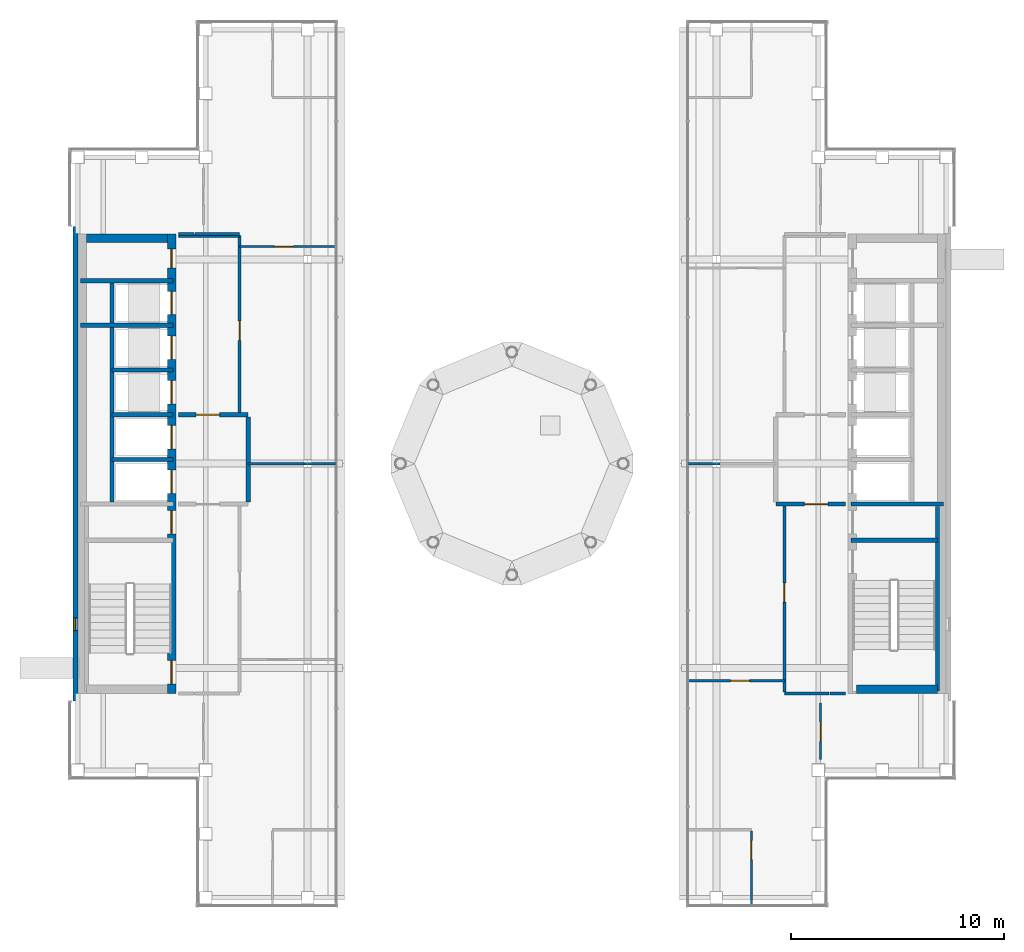
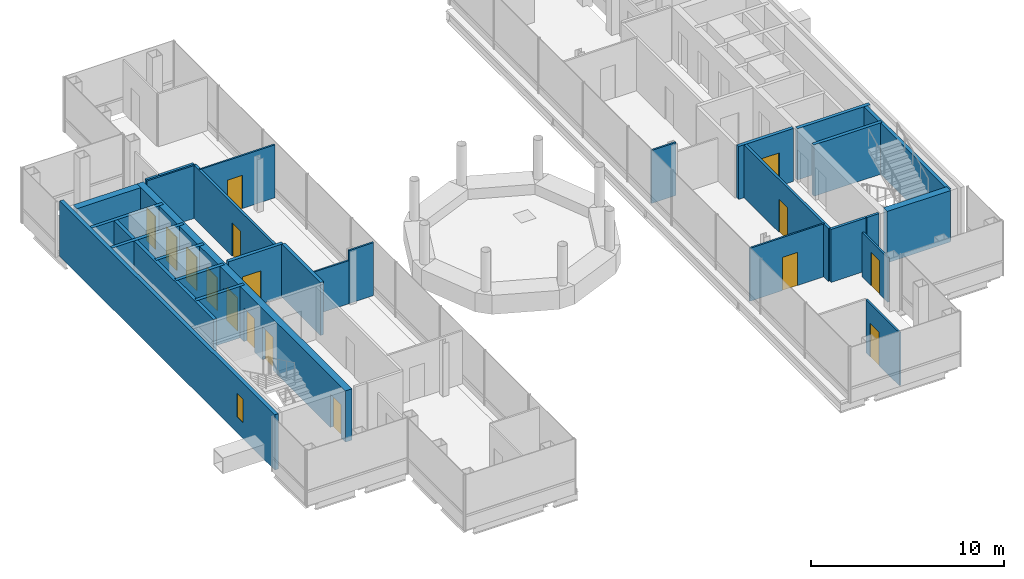
# One storey, part 12 of 16: 31 walls, 16 doors, 1 window, 17 openings.
"""IFC4 building model written with IfcOpenShell, lengths in metres."""

from ifc_helpers import new_model, si_unit, direction, frame, frame_2d, origin, place, context, subcontext, project, spatial, rectangle, extrude, material, layer, layer_set, type_object, element, fill, save


model = new_model("IFC4")

# Units and contexts
model_context = context("Model", 3, precision=1e-05, world=origin(), true_north=direction((0.0, 1.0)))
body_context = subcontext(model_context, "Body", "Model", "MODEL_VIEW")
ifc_project = project(units=[si_unit("LENGTHUNIT", "METRE"), si_unit("AREAUNIT", "SQUARE_METRE"), si_unit("VOLUMEUNIT", "CUBIC_METRE"), si_unit("PLANEANGLEUNIT", "RADIAN"), si_unit("MASSUNIT", "GRAM", prefix="KILO")], contexts=[model_context])

# Site, building, storey
site_placement = place(None, origin())
site = spatial("IfcSite", under=ifc_project, at=site_placement, CompositionType="ELEMENT")
building_placement = place(site_placement, origin())
building = spatial("IfcBuilding", under=site, at=building_placement, Name="Cobrizo Arcos Hotel Tower", CompositionType="ELEMENT")
storey_placement = place(building_placement, frame((0.0, 0.0, 272.5)))
storey = spatial("IfcBuildingStorey", under=building, at=storey_placement, Name="L72", CompositionType="ELEMENT", Elevation=272.5)

# Walls
ifc_material_1 = material(Name="Gypsum board partition")
ifc_layer_1 = layer(ifc_material_1, 0.14990234375)
ifc_layer_set_1 = layer_set([ifc_layer_1], Name="Corridor wall EI 60 150")
wall_type_1 = type_object("IfcWallType", Name="Corridor wall EI 60 150", PredefinedType="PARTITIONING", material=ifc_layer_set_1)
wall_1_placement = place(storey_placement, frame((12.800048828125, -10.800048828125, 0.0), z_axis=(0.0, 0.0, 1.0), x_axis=(1.0, 0.0, 0.0)))
element("IfcWall", 1, at=wall_1_placement, inside=storey, type_object=wall_type_1, Name="Partition 005", PredefinedType="PARTITIONING", context=body_context, shape_type="SweptSolid", body=[
    extrude(rectangle(XDim=2.099853515625, YDim=0.14990234375, at=frame_2d((1.0498046875, 0.0))), origin(), (0.0, 0.0, 1.0), 3.35009765625),
])
wall_2_placement = place(storey_placement, frame((14.949951171875, -10.800048828125, 0.0), z_axis=(0.0, 0.0, 1.0), x_axis=(1.0, 0.0, 0.0)))
element("IfcWall", 2, at=wall_2_placement, inside=storey, type_object=wall_type_1, Name="Partition 006", PredefinedType="PARTITIONING", context=body_context, shape_type="SweptSolid", body=[
    extrude(rectangle(XDim=0.72998046875, YDim=0.14990234375, at=frame_2d((0.364990234375, 0.0))), origin(), (0.0, 0.0, 1.0), 3.35009765625),
])
wall_3_placement = place(storey_placement, frame((-15.679931640625, 10.699951171875, 0.0), z_axis=(0.0, 0.0, 1.0), x_axis=(1.0, 0.0, 0.0)))
element("IfcWall", 3, at=wall_3_placement, inside=storey, type_object=wall_type_1, Name="Partition 033", PredefinedType="PARTITIONING", context=body_context, shape_type="SweptSolid", body=[
    extrude(rectangle(XDim=2.8798828125, YDim=0.14990234375, at=frame_2d((1.43994140625, 0.0))), origin(), (0.0, 0.0, 1.0), 3.35009765625),
])
wall_4_placement = place(storey_placement, frame((-15.679931640625, 10.800048828125, 0.0), z_axis=(0.0, 0.0, 1.0), x_axis=(1.0, 0.0, 0.0)))
element("IfcWall", 4, at=wall_4_placement, inside=storey, type_object=wall_type_1, Name="Partition 035", PredefinedType="PARTITIONING", context=body_context, shape_type="SweptSolid", body=[
    extrude(rectangle(XDim=0.72998046875, YDim=0.14990234375, at=frame_2d((0.364990234375, 0.0))), origin(), (0.0, 0.0, 1.0), 3.35009765625),
])
wall_5_placement = place(storey_placement, frame((-14.89990234375, 10.800048828125, 0.0), z_axis=(0.0, 0.0, 1.0), x_axis=(1.0, 0.0, 0.0)))
element("IfcWall", 5, at=wall_5_placement, inside=storey, type_object=wall_type_1, Name="Partition 036", PredefinedType="PARTITIONING", context=body_context, shape_type="SweptSolid", body=[
    extrude(rectangle(XDim=2.099853515625, YDim=0.14990234375, at=frame_2d((1.0498046875, 0.0))), origin(), (0.0, 0.0, 1.0), 3.35009765625),
])

# Wall, opening, door
wall_6_placement = place(storey_placement, frame((-12.800048828125, 2.39990234375, 0.0), z_axis=(0.0, 0.0, 1.0), x_axis=(0.0, 1.0, 0.0)))
wall_6 = element("IfcWall", 6, at=wall_6_placement, inside=storey, type_object=wall_type_1, Name="Partition 047", PredefinedType="PARTITIONING", context=body_context, shape_type="SweptSolid", body=[
    extrude(rectangle(XDim=8.3251953125, YDim=0.14990234375, at=frame_2d((4.16259765625, 0.0))), origin(), (0.0, 0.0, 1.0), 3.35009765625),
])
opening_1_placement = place(wall_6_placement, frame((3.39990234375, 0.0, 0.0)))
opening_1 = element("IfcOpeningElement", 7, at=opening_1_placement, cuts=wall_6, Name="Opening RD-09", PredefinedType="OPENING", context=body_context, shape_type="SweptSolid", body=[
    extrude(rectangle(XDim=0.89990234375, YDim=2.10009765625, at=frame_2d((0.449951171875, 1.050048828125))), frame((0.0, 0.0869140625, 0.0), z_axis=(0.0, -1.0, 0.0), x_axis=(1.0, 0.0, 0.0)), (0.0, 0.0, 1.0), 0.173828125),
])
ifc_material_2 = material(Name="Timber door leaf", Category="wood")
door_type_1 = type_object("IfcDoorType", Name="Room door FD30 900x2100", OperationType="SINGLE_SWING_LEFT", PredefinedType="DOOR", material=ifc_material_2)
door_1_placement = place(opening_1_placement, origin())
door_1 = element("IfcDoor", 8, at=door_1_placement, inside=storey, type_object=door_type_1, Name="Door RD-09", OperationType="SINGLE_SWING_LEFT", OverallHeight=2.10009765625, OverallWidth=0.89990234375, PredefinedType="DOOR", context=body_context, shape_type="SweptSolid", body=[
    extrude(rectangle(XDim=0.89990234375, YDim=2.10009765625, at=frame_2d((0.449951171875, 1.050048828125))), frame((0.0, 0.02490234375, 0.0), z_axis=(0.0, -1.0, 0.0), x_axis=(1.0, 0.0, 0.0)), (0.0, 0.0, 1.0), 0.050048828125),
])
fill(opening_1, door_1)

wall_7_placement = place(storey_placement, frame((12.800048828125, -10.72509765625, 0.0), z_axis=(0.0, 0.0, 1.0), x_axis=(0.0, 1.0, 0.0)))
wall_7 = element("IfcWall", 9, at=wall_7_placement, inside=storey, type_object=wall_type_1, Name="Partition 054", PredefinedType="PARTITIONING", context=body_context, shape_type="SweptSolid", body=[
    extrude(rectangle(XDim=8.72509765625, YDim=0.14990234375, at=frame_2d((4.362548828125, 0.0))), origin(), (0.0, 0.0, 1.0), 3.35009765625),
])
opening_2_placement = place(wall_7_placement, frame((4.22509765625, 0.0, 0.0)))
opening_2 = element("IfcOpeningElement", 10, at=opening_2_placement, cuts=wall_7, Name="Opening RD-06", PredefinedType="OPENING", context=body_context, shape_type="SweptSolid", body=[
    extrude(rectangle(XDim=0.89990234375, YDim=2.10009765625, at=frame_2d((0.449951171875, 1.050048828125))), frame((0.0, 0.0869140625, 0.0), z_axis=(0.0, -1.0, 0.0), x_axis=(1.0, 0.0, 0.0)), (0.0, 0.0, 1.0), 0.173828125),
])
door_2_placement = place(opening_2_placement, origin())
door_2 = element("IfcDoor", 11, at=door_2_placement, inside=storey, type_object=door_type_1, Name="Door RD-06", OperationType="SINGLE_SWING_LEFT", OverallHeight=2.10009765625, OverallWidth=0.89990234375, PredefinedType="DOOR", context=body_context, shape_type="SweptSolid", body=[
    extrude(rectangle(XDim=0.89990234375, YDim=2.10009765625, at=frame_2d((0.449951171875, 1.050048828125))), frame((0.0, 0.02490234375, 0.0), z_axis=(0.0, -1.0, 0.0), x_axis=(1.0, 0.0, 0.0)), (0.0, 0.0, 1.0), 0.050048828125),
])
fill(opening_2, door_2)

# Wall, opening, window
ifc_material_3 = material(Name="Aluminium composite panel pale metal", Category="aluminium")
ifc_layer_2 = layer(ifc_material_3, 0.22509765625)
ifc_layer_set_2 = layer_set([ifc_layer_2], Name="EW-1 insulated panel wall 225")
wall_type_2 = type_object("IfcWallType", Name="EW-1 insulated panel wall 225", PredefinedType="SOLIDWALL", material=ifc_layer_set_2)
wall_8_placement = place(storey_placement, frame((-20.512451171875, 11.14990234375, 0.0), z_axis=(0.0, 0.0, 1.0), x_axis=(0.0, -1.0, 0.0)))
wall_8 = element("IfcWall", 12, at=wall_8_placement, inside=storey, type_object=wall_type_2, Name="Core face wall L72 W", PredefinedType="SOLIDWALL", context=body_context, shape_type="SweptSolid", body=[
    extrude(rectangle(XDim=22.2998046875, YDim=0.22509765625, at=frame_2d((11.14990234375, 0.0))), origin(), (0.0, 0.0, 1.0), 3.5),
])
opening_3_placement = place(wall_8_placement, frame((18.39990234375, 0.0, 1.0)))
opening_3 = element("IfcOpeningElement", 13, at=opening_3_placement, cuts=wall_8, Name="Opening W-164", PredefinedType="OPENING", context=body_context, shape_type="SweptSolid", body=[
    extrude(rectangle(XDim=0.60009765625, YDim=1.5, at=frame_2d((0.300048828125, 0.75))), frame((0.0, 0.12451171875, 0.0), z_axis=(0.0, -1.0, 0.0), x_axis=(1.0, 0.0, 0.0)), (0.0, 0.0, 1.0), 0.2490234375),
])
ifc_material_4 = material(Name="Aluminium 6063-T6 and clear laminated glass", Category="aluminium")
window_type = type_object("IfcWindowType", Name="W-C1 core stair slot window 600x1500", PartitioningType="SINGLE_PANEL", PredefinedType="WINDOW", material=ifc_material_4)
window_placement = place(opening_3_placement, origin())
window = element("IfcWindow", 14, at=window_placement, inside=storey, type_object=window_type, Name="Core face wall L72 W window W-164", OverallHeight=1.5, OverallWidth=0.60009765625, PartitioningType="SINGLE_PANEL", PredefinedType="WINDOW", context=body_context, shape_type="SweptSolid", body=[
    extrude(rectangle(XDim=0.60009765625, YDim=1.5, at=frame_2d((0.300048828125, 0.75))), frame((0.0, -0.0224609375, 0.0), z_axis=(0.0, -1.0, 0.0), x_axis=(1.0, 0.0, 0.0)), (0.0, 0.0, 1.0), 0.06005859375),
])
fill(opening_3, window)

# Wall, opening, door
ifc_layer_3 = layer(ifc_material_1, 0.10009765625)
ifc_layer_set_3 = layer_set([ifc_layer_3], Name="Partition EI 30 100")
wall_type_3 = type_object("IfcWallType", Name="Partition EI 30 100", PredefinedType="PARTITIONING", material=ifc_layer_set_3)
wall_9_placement = place(storey_placement, frame((8.304931640625, -10.199951171875, 0.0), z_axis=(0.0, 0.0, 1.0), x_axis=(1.0, 0.0, 0.0)))
wall_9 = element("IfcWall", 15, at=wall_9_placement, inside=storey, type_object=wall_type_3, Name="Partition 007", PredefinedType="PARTITIONING", context=body_context, shape_type="SweptSolid", body=[
    extrude(rectangle(XDim=4.4951171875, YDim=0.10009765625, at=frame_2d((2.24755859375, 0.0))), origin(), (0.0, 0.0, 1.0), 3.35009765625),
])
opening_4_placement = place(wall_9_placement, frame((1.962890625, 0.0, 0.0)))
opening_4 = element("IfcOpeningElement", 16, at=opening_4_placement, cuts=wall_9, Name="Opening RD-07", PredefinedType="OPENING", context=body_context, shape_type="SweptSolid", body=[
    extrude(rectangle(XDim=0.89990234375, YDim=2.10009765625, at=frame_2d((0.449951171875, 1.050048828125))), frame((0.0, 0.06201171875, 0.0), z_axis=(0.0, -1.0, 0.0), x_axis=(1.0, 0.0, 0.0)), (0.0, 0.0, 1.0), 0.1240234375),
])
door_3_placement = place(opening_4_placement, origin())
door_3 = element("IfcDoor", 17, at=door_3_placement, inside=storey, type_object=door_type_1, Name="Door RD-07", OperationType="SINGLE_SWING_LEFT", OverallHeight=2.10009765625, OverallWidth=0.89990234375, PredefinedType="DOOR", context=body_context, shape_type="SweptSolid", body=[
    extrude(rectangle(XDim=0.89990234375, YDim=2.10009765625, at=frame_2d((0.449951171875, 1.050048828125))), frame((0.0, 0.02490234375, 0.0), z_axis=(0.0, -1.0, 0.0), x_axis=(1.0, 0.0, 0.0)), (0.0, 0.0, 1.0), 0.050048828125),
])
fill(opening_4, door_3)

# Walls
wall_10_placement = place(storey_placement, frame((-12.39990234375, 0.0, 0.0), z_axis=(0.0, 0.0, 1.0), x_axis=(1.0, 0.0, 0.0)))
element("IfcWall", 18, at=wall_10_placement, inside=storey, type_object=wall_type_3, Name="Partition 015", PredefinedType="PARTITIONING", context=body_context, shape_type="SweptSolid", body=[
    extrude(rectangle(XDim=2.615966796875, YDim=0.10009765625, at=frame_2d((1.30810546875, 0.0))), origin(), (0.0, 0.0, 1.0), 2.72802734375),
])
for number, where, z_axis, x_axis, name in (
    (19, (-9.7841796875, 0.0, 0.0), (0.0, 0.0, 1.0), (1.0, 0.0, 0.0), "Partition 016"),
    (20, (8.304931640625, 0.0, 0.0), (0.0, 0.0, 1.0), (1.0, 0.0, 0.0), "Partition 017"),
):
    element("IfcWall", number, at=place(storey_placement, frame(where, z_axis=z_axis, x_axis=x_axis)), inside=storey, type_object=wall_type_3, Name=name, PredefinedType="PARTITIONING", context=body_context, shape_type="SweptSolid", body=[
        extrude(rectangle(XDim=1.479248046875, YDim=0.10009765625, at=frame_2d((0.73974609375, 0.0))), origin(), (0.0, 0.0, 1.0), 3.35009765625),
    ])

# Wall, opening, door
wall_11_placement = place(storey_placement, frame((-12.800048828125, 10.199951171875, 0.0), z_axis=(0.0, 0.0, 1.0), x_axis=(1.0, 0.0, 0.0)))
wall_11 = element("IfcWall", 21, at=wall_11_placement, inside=storey, type_object=wall_type_3, Name="Partition 032", PredefinedType="PARTITIONING", context=body_context, shape_type="SweptSolid", body=[
    extrude(rectangle(XDim=4.4951171875, YDim=0.10009765625, at=frame_2d((2.24755859375, 0.0))), origin(), (0.0, 0.0, 1.0), 3.35009765625),
])
opening_5_placement = place(wall_11_placement, frame((1.632080078125, 0.0, 0.0)))
opening_5 = element("IfcOpeningElement", 22, at=opening_5_placement, cuts=wall_11, Name="Opening RD-10", PredefinedType="OPENING", context=body_context, shape_type="SweptSolid", body=[
    extrude(rectangle(XDim=0.89990234375, YDim=2.10009765625, at=frame_2d((0.449951171875, 1.050048828125))), frame((0.0, 0.06201171875, 0.0), z_axis=(0.0, -1.0, 0.0), x_axis=(1.0, 0.0, 0.0)), (0.0, 0.0, 1.0), 0.1240234375),
])
door_4_placement = place(opening_5_placement, origin())
door_4 = element("IfcDoor", 23, at=door_4_placement, inside=storey, type_object=door_type_1, Name="Door RD-10", OperationType="SINGLE_SWING_LEFT", OverallHeight=2.10009765625, OverallWidth=0.89990234375, PredefinedType="DOOR", context=body_context, shape_type="SweptSolid", body=[
    extrude(rectangle(XDim=0.89990234375, YDim=2.10009765625, at=frame_2d((0.449951171875, 1.050048828125))), frame((0.0, 0.02490234375, 0.0), z_axis=(0.0, -1.0, 0.0), x_axis=(1.0, 0.0, 0.0)), (0.0, 0.0, 1.0), 0.050048828125),
])
fill(opening_5, door_4)

wall_12_placement = place(storey_placement, frame((11.25, -20.72998046875, 0.0), z_axis=(0.0, 0.0, 1.0), x_axis=(0.0, 1.0, 0.0)))
wall_12 = element("IfcWall", 24, at=wall_12_placement, inside=storey, type_object=wall_type_3, Name="Partition 051", PredefinedType="PARTITIONING", context=body_context, shape_type="SweptSolid", body=[
    extrude(rectangle(XDim=3.47998046875, YDim=0.10009765625, at=frame_2d((1.739990234375, 0.0))), origin(), (0.0, 0.0, 1.0), 3.35009765625),
])
opening_6_placement = place(wall_12_placement, frame((2.1201171875, 0.0, 0.0)))
opening_6 = element("IfcOpeningElement", 25, at=opening_6_placement, cuts=wall_12, Name="Opening ED-02", PredefinedType="OPENING", context=body_context, shape_type="SweptSolid", body=[
    extrude(rectangle(XDim=0.89990234375, YDim=2.10009765625, at=frame_2d((0.449951171875, 1.050048828125))), frame((0.0, 0.06201171875, 0.0), z_axis=(0.0, -1.0, 0.0), x_axis=(1.0, 0.0, 0.0)), (0.0, 0.0, 1.0), 0.1240234375),
])
door_type_2 = type_object("IfcDoorType", Name="En-suite door 900x2100", OperationType="SINGLE_SWING_LEFT", PredefinedType="DOOR", material=ifc_material_2)
door_5_placement = place(opening_6_placement, origin())
door_5 = element("IfcDoor", 26, at=door_5_placement, inside=storey, type_object=door_type_2, Name="Door ED-02", OperationType="SINGLE_SWING_RIGHT", OverallHeight=2.10009765625, OverallWidth=0.89990234375, PredefinedType="DOOR", context=body_context, shape_type="SweptSolid", body=[
    extrude(rectangle(XDim=0.89990234375, YDim=2.10009765625, at=frame_2d((0.449951171875, 1.050048828125))), frame((0.0, 0.02490234375, 0.0), z_axis=(0.0, -1.0, 0.0), x_axis=(1.0, 0.0, 0.0)), (0.0, 0.0, 1.0), 0.050048828125),
])
fill(opening_6, door_5)

wall_13_placement = place(storey_placement, frame((14.5, -13.89990234375, 0.0), z_axis=(0.0, 0.0, 1.0), x_axis=(0.0, 1.0, 0.0)))
wall_13 = element("IfcWall", 27, at=wall_13_placement, inside=storey, type_object=wall_type_3, Name="Partition 056", PredefinedType="PARTITIONING", context=body_context, shape_type="SweptSolid", body=[
    extrude(rectangle(XDim=2.64990234375, YDim=0.10009765625, at=frame_2d((1.324951171875, 0.0))), origin(), (0.0, 0.0, 1.0), 2.81689453125),
])
opening_7_placement = place(wall_13_placement, frame((0.85009765625, 0.0, 0.0)))
opening_7 = element("IfcOpeningElement", 28, at=opening_7_placement, cuts=wall_13, Name="Opening RD-08", PredefinedType="OPENING", context=body_context, shape_type="SweptSolid", body=[
    extrude(rectangle(XDim=0.89990234375, YDim=2.10009765625, at=frame_2d((0.449951171875, 1.050048828125))), frame((0.0, 0.06201171875, 0.0), z_axis=(0.0, -1.0, 0.0), x_axis=(1.0, 0.0, 0.0)), (0.0, 0.0, 1.0), 0.1240234375),
])
door_6_placement = place(opening_7_placement, origin())
door_6 = element("IfcDoor", 29, at=door_6_placement, inside=storey, type_object=door_type_1, Name="Door RD-08", OperationType="SINGLE_SWING_LEFT", OverallHeight=2.10009765625, OverallWidth=0.89990234375, PredefinedType="DOOR", context=body_context, shape_type="SweptSolid", body=[
    extrude(rectangle(XDim=0.89990234375, YDim=2.10009765625, at=frame_2d((0.449951171875, 1.050048828125))), frame((0.0, 0.02490234375, 0.0), z_axis=(0.0, -1.0, 0.0), x_axis=(1.0, 0.0, 0.0)), (0.0, 0.0, 1.0), 0.050048828125),
])
fill(opening_7, door_6)

# Wall
ifc_material_5 = material(Name="Concrete f'c 40 MPa", Category="concrete")
ifc_layer_4 = layer(ifc_material_5, 0.39990234375)
ifc_layer_set_4 = layer_set([ifc_layer_4], Name="RC core wall 400 f'c 40")
wall_type_4 = type_object("IfcWallType", Name="RC core wall 400 f'c 40", PredefinedType="SHEAR", material=ifc_layer_set_4)
wall_14_placement = place(storey_placement, frame((16.199951171875, -10.60009765625, 0.0), z_axis=(0.0, 0.0, 1.0), x_axis=(1.0, 0.0, 0.0)))
element("IfcWall", 30, at=wall_14_placement, inside=storey, type_object=wall_type_4, Name="Core wall CW4, east core, south end, L72", PredefinedType="SHEAR", context=body_context, shape_type="SweptSolid", body=[
    extrude(rectangle(XDim=3.800048828125, YDim=0.39990234375, at=frame_2d((1.89990234375, 0.0))), origin(), (0.0, 0.0, 1.0), 3.25),
])

# Wall, openings, doors
wall_15_placement = place(storey_placement, frame((-16.0, -10.800048828125, 0.0), z_axis=(0.0, 0.0, 1.0), x_axis=(0.0, 1.0, 0.0)))
wall_15 = element("IfcWall", 31, at=wall_15_placement, inside=storey, type_object=wall_type_4, Name="Core wall CW4, west core, inner face, L72", PredefinedType="SHEAR", context=body_context, shape_type="SweptSolid", body=[
    extrude(rectangle(XDim=21.60009765625, YDim=0.39990234375, at=frame_2d((10.800048828125, 0.0))), origin(), (0.0, 0.0, 1.0), 3.25),
])
opening_8_placement = place(wall_15_placement, frame((9.39990234375, 0.0, 0.0)))
opening_8 = element("IfcOpeningElement", 32, at=opening_8_placement, cuts=wall_15, Name="Opening LD-01", PredefinedType="OPENING", context=body_context, shape_type="SweptSolid", body=[
    extrude(rectangle(XDim=1.10009765625, YDim=2.10009765625, at=frame_2d((0.550048828125, 1.050048828125))), frame((0.0, 0.2119140625, 0.0), z_axis=(0.0, -1.0, 0.0), x_axis=(1.0, 0.0, 0.0)), (0.0, 0.0, 1.0), 0.423828125),
])
opening_9_placement = place(wall_15_placement, frame((11.5, 0.0, 0.0)))
opening_9 = element("IfcOpeningElement", 33, at=opening_9_placement, cuts=wall_15, Name="Opening LD-02", PredefinedType="OPENING", context=body_context, shape_type="SweptSolid", body=[
    extrude(rectangle(XDim=1.10009765625, YDim=2.10009765625, at=frame_2d((0.550048828125, 1.050048828125))), frame((0.0, 0.2119140625, 0.0), z_axis=(0.0, -1.0, 0.0), x_axis=(1.0, 0.0, 0.0)), (0.0, 0.0, 1.0), 0.423828125),
])
opening_10_placement = place(wall_15_placement, frame((13.60009765625, 0.0, 0.0)))
opening_10 = element("IfcOpeningElement", 34, at=opening_10_placement, cuts=wall_15, Name="Opening LD-03", PredefinedType="OPENING", context=body_context, shape_type="SweptSolid", body=[
    extrude(rectangle(XDim=1.10009765625, YDim=2.10009765625, at=frame_2d((0.550048828125, 1.050048828125))), frame((0.0, 0.2119140625, 0.0), z_axis=(0.0, -1.0, 0.0), x_axis=(1.0, 0.0, 0.0)), (0.0, 0.0, 1.0), 0.423828125),
])
opening_11_placement = place(wall_15_placement, frame((15.699951171875, 0.0, 0.0)))
opening_11 = element("IfcOpeningElement", 35, at=opening_11_placement, cuts=wall_15, Name="Opening LD-04", PredefinedType="OPENING", context=body_context, shape_type="SweptSolid", body=[
    extrude(rectangle(XDim=1.10009765625, YDim=2.10009765625, at=frame_2d((0.550048828125, 1.050048828125))), frame((0.0, 0.2119140625, 0.0), z_axis=(0.0, -1.0, 0.0), x_axis=(1.0, 0.0, 0.0)), (0.0, 0.0, 1.0), 0.423828125),
])
opening_12_placement = place(wall_15_placement, frame((17.800048828125, 0.0, 0.0)))
opening_12 = element("IfcOpeningElement", 36, at=opening_12_placement, cuts=wall_15, Name="Opening LD-05", PredefinedType="OPENING", context=body_context, shape_type="SweptSolid", body=[
    extrude(rectangle(XDim=1.10009765625, YDim=2.10009765625, at=frame_2d((0.550048828125, 1.050048828125))), frame((0.0, 0.2119140625, 0.0), z_axis=(0.0, -1.0, 0.0), x_axis=(1.0, 0.0, 0.0)), (0.0, 0.0, 1.0), 0.423828125),
])
opening_13_placement = place(wall_15_placement, frame((0.4580078125, 0.0, 0.0)))
opening_13 = element("IfcOpeningElement", 37, at=opening_13_placement, cuts=wall_15, Name="Opening SD-01", PredefinedType="OPENING", context=body_context, shape_type="SweptSolid", body=[
    extrude(rectangle(XDim=1.10009765625, YDim=2.10009765625, at=frame_2d((0.550048828125, 1.050048828125))), frame((0.0, 0.2119140625, 0.0), z_axis=(0.0, -1.0, 0.0), x_axis=(1.0, 0.0, 0.0)), (0.0, 0.0, 1.0), 0.423828125),
])
opening_14_placement = place(wall_15_placement, frame((7.5, 0.0, 0.0)))
opening_14 = element("IfcOpeningElement", 38, at=opening_14_placement, cuts=wall_15, Name="Opening FD-01", PredefinedType="OPENING", context=body_context, shape_type="SweptSolid", body=[
    extrude(rectangle(XDim=1.10009765625, YDim=2.10009765625, at=frame_2d((0.550048828125, 1.050048828125))), frame((0.0, 0.2119140625, 0.0), z_axis=(0.0, -1.0, 0.0), x_axis=(1.0, 0.0, 0.0)), (0.0, 0.0, 1.0), 0.423828125),
])
opening_15_placement = place(wall_15_placement, frame((20.0, 0.0, 0.0)))
opening_15 = element("IfcOpeningElement", 39, at=opening_15_placement, cuts=wall_15, Name="Opening RD-01", PredefinedType="OPENING", context=body_context, shape_type="SweptSolid", body=[
    extrude(rectangle(XDim=0.89990234375, YDim=2.10009765625, at=frame_2d((0.449951171875, 1.050048828125))), frame((0.0, 0.2119140625, 0.0), z_axis=(0.0, -1.0, 0.0), x_axis=(1.0, 0.0, 0.0)), (0.0, 0.0, 1.0), 0.423828125),
])
ifc_material_6 = material(Name="Steel door leaf", Category="steel")
door_type_3 = type_object("IfcDoorType", Name="Fire door FD60 1100x2100", OperationType="SINGLE_SWING_LEFT", PredefinedType="DOOR", material=ifc_material_6)
door_7_placement = place(opening_14_placement, origin())
door_7 = element("IfcDoor", 40, at=door_7_placement, inside=storey, type_object=door_type_3, Name="Door FD-01", OperationType="SINGLE_SWING_LEFT", OverallHeight=2.10009765625, OverallWidth=1.10009765625, PredefinedType="DOOR", context=body_context, shape_type="SweptSolid", body=[
    extrude(rectangle(XDim=1.10009765625, YDim=2.10009765625, at=frame_2d((0.550048828125, 1.050048828125))), frame((0.0, 0.02490234375, 0.0), z_axis=(0.0, -1.0, 0.0), x_axis=(1.0, 0.0, 0.0)), (0.0, 0.0, 1.0), 0.050048828125),
])
fill(opening_14, door_7)
door_type_4 = type_object("IfcDoorType", Name="Lift landing door 1100x2100", OperationType="SLIDING_TO_LEFT", PredefinedType="DOOR", material=ifc_material_6)
door_8_placement = place(opening_8_placement, origin())
door_8 = element("IfcDoor", 41, at=door_8_placement, inside=storey, type_object=door_type_4, Name="Lift landing door LD-01", OperationType="SLIDING_TO_LEFT", OverallHeight=2.10009765625, OverallWidth=1.10009765625, PredefinedType="DOOR", context=body_context, shape_type="SweptSolid", body=[
    extrude(rectangle(XDim=1.10009765625, YDim=2.10009765625, at=frame_2d((0.550048828125, 1.050048828125))), frame((0.0, 0.02490234375, 0.0), z_axis=(0.0, -1.0, 0.0), x_axis=(1.0, 0.0, 0.0)), (0.0, 0.0, 1.0), 0.050048828125),
])
fill(opening_8, door_8)
door_9_placement = place(opening_9_placement, origin())
door_9 = element("IfcDoor", 42, at=door_9_placement, inside=storey, type_object=door_type_4, Name="Lift landing door LD-02", OperationType="SLIDING_TO_LEFT", OverallHeight=2.10009765625, OverallWidth=1.10009765625, PredefinedType="DOOR", context=body_context, shape_type="SweptSolid", body=[
    extrude(rectangle(XDim=1.10009765625, YDim=2.10009765625, at=frame_2d((0.550048828125, 1.050048828125))), frame((0.0, 0.02490234375, 0.0), z_axis=(0.0, -1.0, 0.0), x_axis=(1.0, 0.0, 0.0)), (0.0, 0.0, 1.0), 0.050048828125),
])
fill(opening_9, door_9)
door_10_placement = place(opening_10_placement, origin())
door_10 = element("IfcDoor", 43, at=door_10_placement, inside=storey, type_object=door_type_4, Name="Lift landing door LD-03", OperationType="SLIDING_TO_LEFT", OverallHeight=2.10009765625, OverallWidth=1.10009765625, PredefinedType="DOOR", context=body_context, shape_type="SweptSolid", body=[
    extrude(rectangle(XDim=1.10009765625, YDim=2.10009765625, at=frame_2d((0.550048828125, 1.050048828125))), frame((0.0, 0.02490234375, 0.0), z_axis=(0.0, -1.0, 0.0), x_axis=(1.0, 0.0, 0.0)), (0.0, 0.0, 1.0), 0.050048828125),
])
fill(opening_10, door_10)
door_11_placement = place(opening_11_placement, origin())
door_11 = element("IfcDoor", 44, at=door_11_placement, inside=storey, type_object=door_type_4, Name="Lift landing door LD-04", OperationType="SLIDING_TO_LEFT", OverallHeight=2.10009765625, OverallWidth=1.10009765625, PredefinedType="DOOR", context=body_context, shape_type="SweptSolid", body=[
    extrude(rectangle(XDim=1.10009765625, YDim=2.10009765625, at=frame_2d((0.550048828125, 1.050048828125))), frame((0.0, 0.02490234375, 0.0), z_axis=(0.0, -1.0, 0.0), x_axis=(1.0, 0.0, 0.0)), (0.0, 0.0, 1.0), 0.050048828125),
])
fill(opening_11, door_11)
door_12_placement = place(opening_12_placement, origin())
door_12 = element("IfcDoor", 45, at=door_12_placement, inside=storey, type_object=door_type_4, Name="Lift landing door LD-05", OperationType="SLIDING_TO_LEFT", OverallHeight=2.10009765625, OverallWidth=1.10009765625, PredefinedType="DOOR", context=body_context, shape_type="SweptSolid", body=[
    extrude(rectangle(XDim=1.10009765625, YDim=2.10009765625, at=frame_2d((0.550048828125, 1.050048828125))), frame((0.0, 0.02490234375, 0.0), z_axis=(0.0, -1.0, 0.0), x_axis=(1.0, 0.0, 0.0)), (0.0, 0.0, 1.0), 0.050048828125),
])
fill(opening_12, door_12)
door_13_placement = place(opening_15_placement, origin())
door_13 = element("IfcDoor", 46, at=door_13_placement, inside=storey, type_object=door_type_1, Name="Door RD-01", OperationType="SINGLE_SWING_LEFT", OverallHeight=2.10009765625, OverallWidth=0.89990234375, PredefinedType="DOOR", context=body_context, shape_type="SweptSolid", body=[
    extrude(rectangle(XDim=0.89990234375, YDim=2.10009765625, at=frame_2d((0.449951171875, 1.050048828125))), frame((0.0, 0.02490234375, 0.0), z_axis=(0.0, -1.0, 0.0), x_axis=(1.0, 0.0, 0.0)), (0.0, 0.0, 1.0), 0.050048828125),
])
fill(opening_15, door_13)
door_type_5 = type_object("IfcDoorType", Name="Stair door FD60S 1100x2100", OperationType="SINGLE_SWING_LEFT", PredefinedType="DOOR", material=ifc_material_6)
door_14_placement = place(opening_13_placement, origin())
door_14 = element("IfcDoor", 47, at=door_14_placement, inside=storey, type_object=door_type_5, Name="Door SD-01", OperationType="SINGLE_SWING_RIGHT", OverallHeight=2.10009765625, OverallWidth=1.10009765625, PredefinedType="DOOR", context=body_context, shape_type="SweptSolid", body=[
    extrude(rectangle(XDim=1.10009765625, YDim=2.10009765625, at=frame_2d((0.550048828125, 1.050048828125))), frame((0.0, 0.02490234375, 0.0), z_axis=(0.0, -1.0, 0.0), x_axis=(1.0, 0.0, 0.0)), (0.0, 0.0, 1.0), 0.050048828125),
])
fill(opening_13, door_14)

# Wall
wall_16_placement = place(storey_placement, frame((-20.0, 10.60009765625, 0.0), z_axis=(0.0, 0.0, 1.0), x_axis=(1.0, 0.0, 0.0)))
element("IfcWall", 48, at=wall_16_placement, inside=storey, type_object=wall_type_4, Name="Core wall CW4, west core, north end, L72", PredefinedType="SHEAR", context=body_context, shape_type="SweptSolid", body=[
    extrude(rectangle(XDim=3.800048828125, YDim=0.39990234375, at=frame_2d((1.89990234375, 0.0))), origin(), (0.0, 0.0, 1.0), 3.25),
])

# Wall, opening, door
ifc_layer_5 = layer(ifc_material_1, 0.199951171875)
ifc_layer_set_5 = layer_set([ifc_layer_5], Name="Shaft wall EI 120 200")
wall_type_5 = type_object("IfcWallType", Name="Shaft wall EI 120 200", PredefinedType="PARTITIONING", material=ifc_layer_set_5)
wall_17_placement = place(storey_placement, frame((12.39990234375, -1.89990234375, 0.0), z_axis=(0.0, 0.0, 1.0), x_axis=(1.0, 0.0, 0.0)))
wall_17 = element("IfcWall", 49, at=wall_17_placement, inside=storey, type_object=wall_type_5, Name="Partition 013", PredefinedType="PARTITIONING", context=body_context, shape_type="SweptSolid", body=[
    extrude(rectangle(XDim=3.280029296875, YDim=0.199951171875, at=frame_2d((1.64013671875, 0.0))), origin(), (0.0, 0.0, 1.0), 3.35009765625),
])
opening_16_placement = place(wall_17_placement, frame((1.340087890625, 0.0, 0.0)))
opening_16 = element("IfcOpeningElement", 50, at=opening_16_placement, cuts=wall_17, Name="Opening FD-06", PredefinedType="OPENING", context=body_context, shape_type="SweptSolid", body=[
    extrude(rectangle(XDim=1.10009765625, YDim=2.10009765625, at=frame_2d((0.550048828125, 1.050048828125))), frame((0.0, 0.112060546875, 0.0), z_axis=(0.0, -1.0, 0.0), x_axis=(1.0, 0.0, 0.0)), (0.0, 0.0, 1.0), 0.223876953125),
])
door_15_placement = place(opening_16_placement, origin())
door_15 = element("IfcDoor", 51, at=door_15_placement, inside=storey, type_object=door_type_3, Name="Door FD-06", OperationType="SINGLE_SWING_RIGHT", OverallHeight=2.10009765625, OverallWidth=1.10009765625, PredefinedType="DOOR", context=body_context, shape_type="SweptSolid", body=[
    extrude(rectangle(XDim=1.10009765625, YDim=2.10009765625, at=frame_2d((0.550048828125, 1.050048828125))), frame((0.0, 0.02490234375, 0.0), z_axis=(0.0, -1.0, 0.0), x_axis=(1.0, 0.0, 0.0)), (0.0, 0.0, 1.0), 0.050048828125),
])
fill(opening_16, door_15)

# Walls
wall_18_placement = place(storey_placement, frame((15.919921875, -1.89990234375, 0.0), z_axis=(0.0, 0.0, 1.0), x_axis=(1.0, 0.0, 0.0)))
element("IfcWall", 52, at=wall_18_placement, inside=storey, type_object=wall_type_5, Name="Partition 014", PredefinedType="PARTITIONING", context=body_context, shape_type="SweptSolid", body=[
    extrude(rectangle(XDim=4.360107421875, YDim=0.199951171875, at=frame_2d((2.18017578125, 0.0))), origin(), (0.0, 0.0, 1.0), 3.25),
])
for number, where, z_axis, x_axis, name in (
    (53, (-18.800048828125, 0.199951171875, 0.0), (0.0, 0.0, 1.0), (1.0, 0.0, 0.0), "Partition 019"),
    (54, (-18.800048828125, 2.300048828125, 0.0), (0.0, 0.0, 1.0), (1.0, 0.0, 0.0), "Partition 021"),
):
    element("IfcWall", number, at=place(storey_placement, frame(where, z_axis=z_axis, x_axis=x_axis)), inside=storey, type_object=wall_type_5, Name=name, PredefinedType="PARTITIONING", context=body_context, shape_type="SweptSolid", body=[
        extrude(rectangle(XDim=2.880126953125, YDim=0.199951171875, at=frame_2d((1.43994140625, 0.0))), origin(), (0.0, 0.0, 1.0), 3.25),
    ])

# Wall, opening, door
wall_19_placement = place(storey_placement, frame((-15.679931640625, 2.300048828125, 0.0), z_axis=(0.0, 0.0, 1.0), x_axis=(1.0, 0.0, 0.0)))
wall_19 = element("IfcWall", 55, at=wall_19_placement, inside=storey, type_object=wall_type_5, Name="Partition 022", PredefinedType="PARTITIONING", context=body_context, shape_type="SweptSolid", body=[
    extrude(rectangle(XDim=3.280029296875, YDim=0.199951171875, at=frame_2d((1.64013671875, 0.0))), origin(), (0.0, 0.0, 1.0), 3.35009765625),
])
opening_17_placement = place(wall_19_placement, frame((0.840087890625, 0.0, 0.0)))
opening_17 = element("IfcOpeningElement", 56, at=opening_17_placement, cuts=wall_19, Name="Opening FD-02", PredefinedType="OPENING", context=body_context, shape_type="SweptSolid", body=[
    extrude(rectangle(XDim=1.10009765625, YDim=2.10009765625, at=frame_2d((0.550048828125, 1.050048828125))), frame((0.0, 0.112060546875, 0.0), z_axis=(0.0, -1.0, 0.0), x_axis=(1.0, 0.0, 0.0)), (0.0, 0.0, 1.0), 0.223876953125),
])
door_16_placement = place(opening_17_placement, origin())
door_16 = element("IfcDoor", 57, at=door_16_placement, inside=storey, type_object=door_type_3, Name="Door FD-02", OperationType="SINGLE_SWING_RIGHT", OverallHeight=2.10009765625, OverallWidth=1.10009765625, PredefinedType="DOOR", context=body_context, shape_type="SweptSolid", body=[
    extrude(rectangle(XDim=1.10009765625, YDim=2.10009765625, at=frame_2d((0.550048828125, 1.050048828125))), frame((0.0, 0.02490234375, 0.0), z_axis=(0.0, -1.0, 0.0), x_axis=(1.0, 0.0, 0.0)), (0.0, 0.0, 1.0), 0.050048828125),
])
fill(opening_17, door_16)

# Walls
wall_20_placement = place(storey_placement, frame((-18.800048828125, 4.39990234375, 0.0), z_axis=(0.0, 0.0, 1.0), x_axis=(1.0, 0.0, 0.0)))
element("IfcWall", 58, at=wall_20_placement, inside=storey, type_object=wall_type_5, Name="Partition 025", PredefinedType="PARTITIONING", context=body_context, shape_type="SweptSolid", body=[
    extrude(rectangle(XDim=2.880126953125, YDim=0.199951171875, at=frame_2d((1.43994140625, 0.0))), origin(), (0.0, 0.0, 1.0), 3.25),
])
for number, where, z_axis, x_axis, name in (
    (59, (-20.280029296875, 6.5, 0.0), (0.0, 0.0, 1.0), (1.0, 0.0, 0.0), "Partition 027"),
    (60, (-20.280029296875, 8.60009765625, 0.0), (0.0, 0.0, 1.0), (1.0, 0.0, 0.0), "Partition 029"),
):
    element("IfcWall", number, at=place(storey_placement, frame(where, z_axis=z_axis, x_axis=x_axis)), inside=storey, type_object=wall_type_5, Name=name, PredefinedType="PARTITIONING", context=body_context, shape_type="SweptSolid", body=[
        extrude(rectangle(XDim=4.360107421875, YDim=0.199951171875, at=frame_2d((2.18017578125, 0.0))), origin(), (0.0, 0.0, 1.0), 3.25),
    ])
wall_21_placement = place(storey_placement, frame((-18.800048828125, -1.800048828125, 0.0), z_axis=(0.0, 0.0, 1.0), x_axis=(0.0, 1.0, 0.0)))
element("IfcWall", 61, at=wall_21_placement, inside=storey, type_object=wall_type_5, Name="Partition 042", PredefinedType="PARTITIONING", context=body_context, shape_type="SweptSolid", body=[
    extrude(rectangle(XDim=8.199951171875, YDim=0.199951171875, at=frame_2d((4.10009765625, 0.0))), origin(), (0.0, 0.0, 1.0), 3.25),
])
wall_22_placement = place(storey_placement, frame((-18.800048828125, 6.60009765625, 0.0), z_axis=(0.0, 0.0, 1.0), x_axis=(0.0, 1.0, 0.0)))
element("IfcWall", 62, at=wall_22_placement, inside=storey, type_object=wall_type_5, Name="Partition 043", PredefinedType="PARTITIONING", context=body_context, shape_type="SweptSolid", body=[
    extrude(rectangle(XDim=1.89990234375, YDim=0.199951171875, at=frame_2d((0.949951171875, 0.0))), origin(), (0.0, 0.0, 1.0), 3.25),
])
wall_23_placement = place(storey_placement, frame((-12.39990234375, -1.800048828125, 0.0), z_axis=(0.0, 0.0, 1.0), x_axis=(0.0, 1.0, 0.0)))
element("IfcWall", 63, at=wall_23_placement, inside=storey, type_object=wall_type_5, Name="Partition 048", PredefinedType="PARTITIONING", context=body_context, shape_type="SweptSolid", body=[
    extrude(rectangle(XDim=4.0, YDim=0.199951171875, at=frame_2d((2.0, 0.0))), origin(), (0.0, 0.0, 1.0), 3.35009765625),
])
ifc_layer_6 = layer(ifc_material_5, 0.199951171875)
ifc_layer_set_6 = layer_set([ifc_layer_6], Name="Stair shaft wall 200")
wall_type_6 = type_object("IfcWallType", Name="Stair shaft wall 200", PredefinedType="SHEAR", material=ifc_layer_set_6)
wall_24_placement = place(storey_placement, frame((15.919921875, -3.60009765625, 0.0), z_axis=(0.0, 0.0, 1.0), x_axis=(1.0, 0.0, 0.0)))
element("IfcWall", 64, at=wall_24_placement, inside=storey, type_object=wall_type_6, Name="Stair shaft wall E", PredefinedType="SHEAR", context=body_context, shape_type="SweptSolid", body=[
    extrude(rectangle(XDim=4.080078125, YDim=0.199951171875, at=frame_2d((2.0400390625, 0.0))), origin(), (0.0, 0.0, 1.0), 3.25),
])
wall_25_placement = place(storey_placement, frame((20.0, -10.679931640625, 0.0), z_axis=(0.0, 0.0, 1.0), x_axis=(0.0, 1.0, 0.0)))
element("IfcWall", 65, at=wall_25_placement, inside=storey, type_object=wall_type_6, Name="Stair shaft wall E", PredefinedType="SHEAR", context=body_context, shape_type="SweptSolid", body=[
    extrude(rectangle(XDim=8.679931640625, YDim=0.199951171875, at=frame_2d((4.33984375, 0.0))), origin(), (0.0, 0.0, 1.0), 3.25),
])

save(model, "model.ifc")
